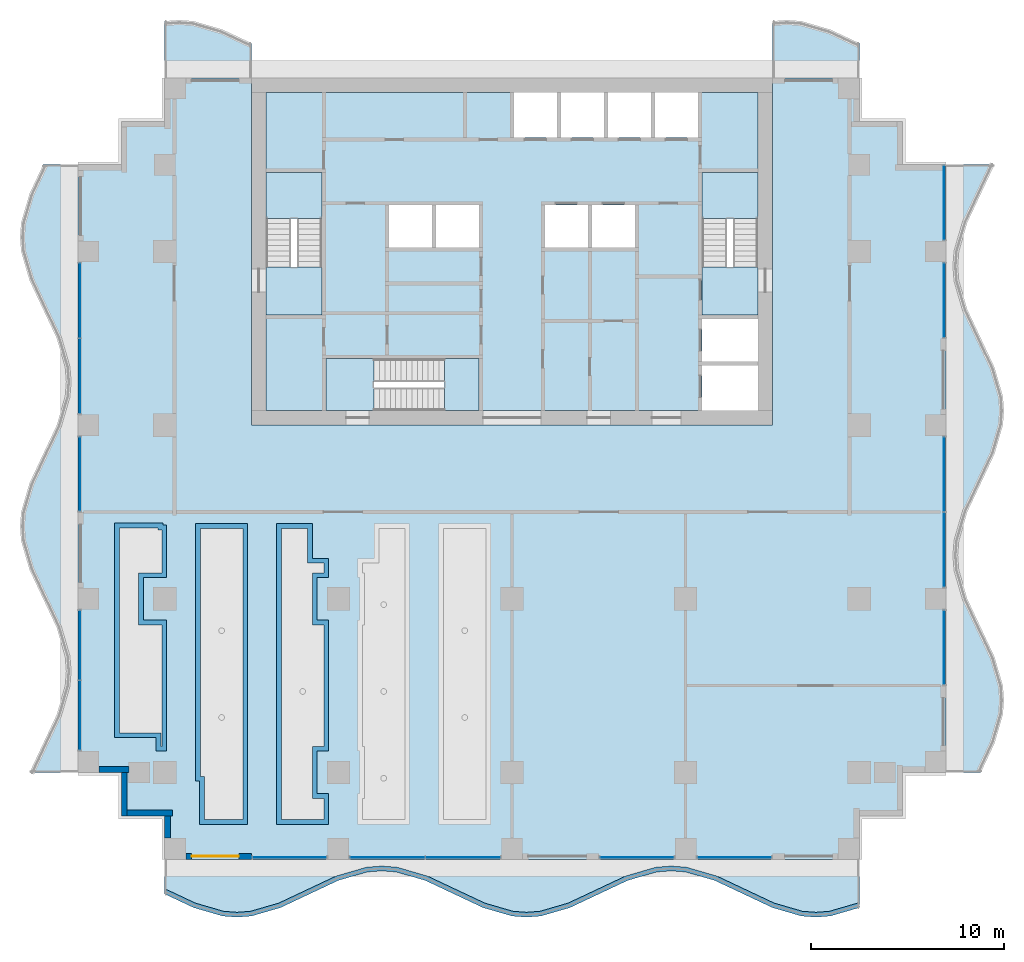
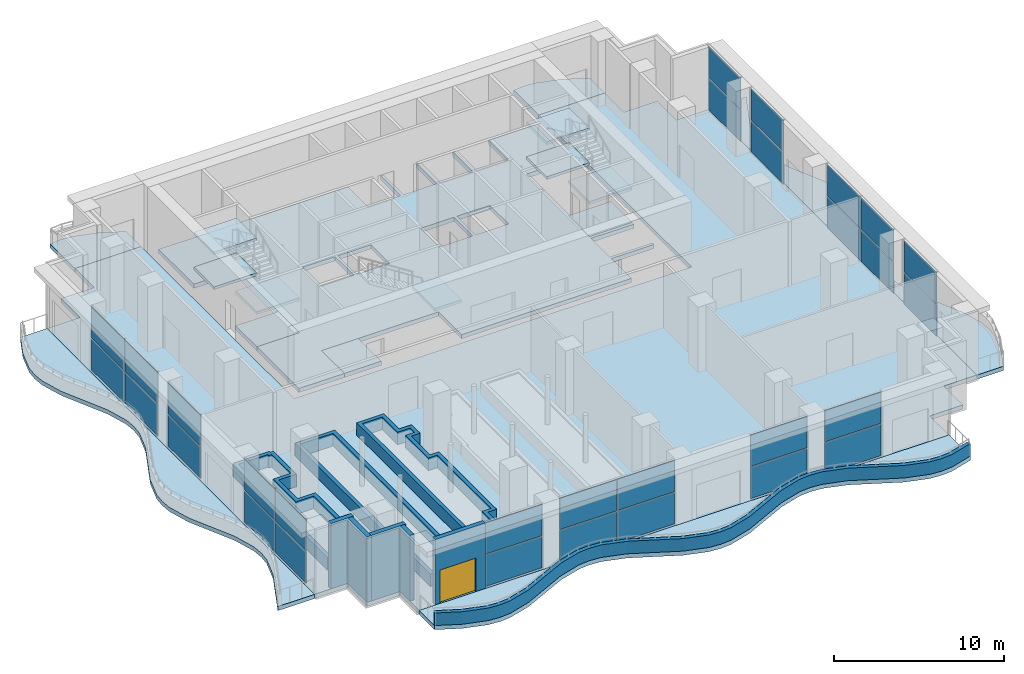
# One storey, part 7 of 16: 30 plates, 17 slabs, 9 walls, 1 door, 1 opening, 14 elements without a shape of their own.
"""IFC4 building model written with IfcOpenShell, lengths in metres."""

from ifc_helpers import new_model, si_unit, direction, frame, frame_2d, origin, origin_2d, place, context, subcontext, project, spatial, polyline, rectangle, outline, extrude, material, layer, layer_set, type_object, element, fill, aggregate, save


model = new_model("IFC4")

# Units and contexts
model_context = context("Model", 3, precision=1e-05, world=origin(), true_north=direction((0.0, 1.0)))
body_context = subcontext(model_context, "Body", "Model", "MODEL_VIEW")
ifc_project = project(units=[si_unit("LENGTHUNIT", "METRE"), si_unit("AREAUNIT", "SQUARE_METRE"), si_unit("VOLUMEUNIT", "CUBIC_METRE"), si_unit("PLANEANGLEUNIT", "RADIAN"), si_unit("MASSUNIT", "GRAM", prefix="KILO")], contexts=[model_context])

# Site, building, storey
site_placement = place(None, origin())
site = spatial("IfcSite", under=ifc_project, at=site_placement, CompositionType="ELEMENT")
building_placement = place(site_placement, origin())
building = spatial("IfcBuilding", under=site, at=building_placement, Name="Orbiselva Terraces", CompositionType="ELEMENT")
storey_placement = place(building_placement, frame((0.0, 0.0, 174.4)))
storey = spatial("IfcBuildingStorey", under=building, at=storey_placement, Name="L44", CompositionType="ELEMENT", Elevation=174.4)

# Slabs
ifc_material_1 = material(Name="Concrete C40/50", Category="concrete")
ifc_layer_1 = layer(ifc_material_1, 0.3)
ifc_layer_set_1 = layer_set([ifc_layer_1], Name="Concrete C40/50")
slab_type_1 = type_object("IfcSlabType", Name="CORE-SLAB-FLOOR-300", PredefinedType="FLOOR", material=ifc_layer_set_1)
slab_1_placement = place(storey_placement, frame((0.0, 0.0, -0.3)))
element("IfcSlab", 1, at=slab_1_placement, inside=storey, type_object=slab_type_1, Name="L44 S1 floor landing", PredefinedType="FLOOR", context=body_context, shape_type="SweptSolid", body=[
    extrude(outline(polyline([(-12.75, 12.7), (-9.85, 12.7), (-9.85, 10.2), (-12.75, 10.2), (-12.75, 12.7)])), origin(), (0.0, 0.0, 1.0), 0.3),
])
slab_2_placement = place(storey_placement, frame((0.0, 0.0, -0.3)))
element("IfcSlab", 2, at=slab_2_placement, inside=storey, type_object=slab_type_1, Name="L44 S2 floor landing", PredefinedType="FLOOR", context=body_context, shape_type="SweptSolid", body=[
    extrude(outline(polyline([(12.75, 12.7), (12.75, 10.2), (9.85, 10.2), (9.85, 12.7), (12.75, 12.7)])), origin(), (0.0, 0.0, 1.0), 0.3),
])
slab_3_placement = place(storey_placement, frame((0.0, 0.0, -0.3)))
element("IfcSlab", 3, at=slab_3_placement, inside=storey, type_object=slab_type_1, Name="L44 S3 floor landing", PredefinedType="FLOOR", context=body_context, shape_type="SweptSolid", body=[
    extrude(outline(polyline([(-7.15, 5.25), (-9.65, 5.25), (-9.65, 7.95), (-7.15, 7.95), (-7.15, 5.25)])), origin(), (0.0, 0.0, 1.0), 0.3),
])
slab_4_placement = place(storey_placement, frame((0.0, 0.0, -0.3)))
element("IfcSlab", 4, at=slab_4_placement, inside=storey, type_object=slab_type_1, Name="L44 core floor slab 1", PredefinedType="FLOOR", context=body_context, shape_type="SweptSolid", body=[
    extrude(outline(polyline([(-1.7, 5.25), (-1.7, 7.95), (-9.65, 7.95), (-9.65, 5.25), (-12.75, 5.25), (-12.75, 10.2), (-9.85, 10.2), (-9.85, 17.6), (-12.75, 17.6), (-12.75, 21.75), (0.1, 21.75), (0.1, 19.4), (2.3375, 19.4), (2.3375, 21.75), (2.5375, 21.75), (2.5375, 19.4), (4.775, 19.4), (4.775, 21.75), (4.975, 21.75), (4.975, 19.4), (7.2125, 19.4), (7.2125, 21.75), (7.4125, 21.75), (7.4125, 19.4), (9.65, 19.4), (9.65, 21.75), (12.75, 21.75), (12.75, 17.6), (9.85, 17.6), (9.85, 10.2), (12.75, 10.2), (12.75, 10.0), (9.85, 10.0), (9.85, 7.8), (12.75, 7.8), (12.75, 7.6), (9.85, 7.6), (9.85, 5.25), (-1.7, 5.25)]), holes=[polyline([(-4.1375, 13.7), (-4.1375, 15.9), (-6.375, 15.9), (-6.375, 13.7), (-4.1375, 13.7)]), polyline([(-1.7, 13.7), (-1.7, 15.9), (-3.9375, 15.9), (-3.9375, 13.7), (-1.7, 13.7)]), polyline([(3.9375, 15.9), (1.7, 15.9), (1.7, 13.7), (3.9375, 13.7), (3.9375, 15.9)]), polyline([(6.375, 13.7), (6.375, 15.9), (4.1375, 15.9), (4.1375, 13.7), (6.375, 13.7)])]), origin(), (0.0, 0.0, 1.0), 0.3),
])

# Stair, slabs
stair_type_1 = type_object("IfcStairType", Name="CORE-STAIR-1300", PredefinedType="HALF_TURN_STAIR", material=ifc_material_1)
stair_1_placement = place(storey_placement, origin())
stair_1 = element("IfcStair", 5, at=stair_1_placement, inside=storey, type_object=stair_type_1, Name="L44 Exit Stair S1", PredefinedType="HALF_TURN_STAIR")
ifc_layer_2 = layer(ifc_material_1, 0.2)
ifc_layer_set_2 = layer_set([ifc_layer_2], Name="Concrete C40/50")
slab_type_2 = type_object("IfcSlabType", Name="CORE-STAIR-LANDING-200", PredefinedType="LANDING", material=ifc_layer_set_2)
slab_5_placement = place(storey_placement, frame((0.0, 0.0, 1.05)))
slab_5 = element("IfcSlab", 6, at=slab_5_placement, type_object=slab_type_2, Name="S1 landing 1", PredefinedType="LANDING", context=body_context, shape_type="SweptSolid", body=[
    extrude(outline(polyline([(-9.85, 15.22), (-9.85, 17.6), (-12.75, 17.6), (-12.75, 15.22), (-9.85, 15.22)])), origin(), (0.0, 0.0, 1.0), 0.2),
])
slab_6_placement = place(storey_placement, frame((0.0, 0.0, 2.3)))
slab_6 = element("IfcSlab", 7, at=slab_6_placement, type_object=slab_type_2, Name="S1 landing 2", PredefinedType="LANDING", context=body_context, shape_type="SweptSolid", body=[
    extrude(outline(polyline([(-9.85, 10.2), (-9.85, 12.7), (-12.75, 12.7), (-12.75, 10.2), (-9.85, 10.2)])), origin(), (0.0, 0.0, 1.0), 0.2),
])
slab_7_placement = place(storey_placement, frame((0.0, 0.0, 3.55)))
slab_7 = element("IfcSlab", 8, at=slab_7_placement, type_object=slab_type_2, Name="S1 landing 3", PredefinedType="LANDING", context=body_context, shape_type="SweptSolid", body=[
    extrude(outline(polyline([(-9.85, 15.22), (-9.85, 17.6), (-12.75, 17.6), (-12.75, 15.22), (-9.85, 15.22)])), origin(), (0.0, 0.0, 1.0), 0.2),
])
aggregate(stair_1, [slab_5, slab_6, slab_7])

stair_2_placement = place(storey_placement, origin())
stair_2 = element("IfcStair", 9, at=stair_2_placement, inside=storey, type_object=stair_type_1, Name="L44 Exit Stair S2", PredefinedType="HALF_TURN_STAIR")
slab_8_placement = place(storey_placement, frame((0.0, 0.0, 1.05)))
slab_8 = element("IfcSlab", 10, at=slab_8_placement, type_object=slab_type_2, Name="S2 landing 1", PredefinedType="LANDING", context=body_context, shape_type="SweptSolid", body=[
    extrude(outline(polyline([(12.75, 15.22), (12.75, 17.6), (9.85, 17.6), (9.85, 15.22), (12.75, 15.22)])), origin(), (0.0, 0.0, 1.0), 0.2),
])
slab_9_placement = place(storey_placement, frame((0.0, 0.0, 2.3)))
slab_9 = element("IfcSlab", 11, at=slab_9_placement, type_object=slab_type_2, Name="S2 landing 2", PredefinedType="LANDING", context=body_context, shape_type="SweptSolid", body=[
    extrude(outline(polyline([(12.75, 10.2), (12.75, 12.7), (9.85, 12.7), (9.85, 10.2), (12.75, 10.2)])), origin(), (0.0, 0.0, 1.0), 0.2),
])
slab_10_placement = place(storey_placement, frame((0.0, 0.0, 3.55)))
slab_10 = element("IfcSlab", 12, at=slab_10_placement, type_object=slab_type_2, Name="S2 landing 3", PredefinedType="LANDING", context=body_context, shape_type="SweptSolid", body=[
    extrude(outline(polyline([(12.75, 15.22), (12.75, 17.6), (9.85, 17.6), (9.85, 15.22), (12.75, 15.22)])), origin(), (0.0, 0.0, 1.0), 0.2),
])
aggregate(stair_2, [slab_8, slab_9, slab_10])

# Stair, slab
stair_type_2 = type_object("IfcStairType", Name="CORE-STAIR-1200", PredefinedType="HALF_TURN_STAIR", material=ifc_material_1)
stair_3_placement = place(storey_placement, origin())
stair_3 = element("IfcStair", 13, at=stair_3_placement, inside=storey, type_object=stair_type_2, Name="L44 Exit Stair S3", PredefinedType="HALF_TURN_STAIR")
slab_11_placement = place(storey_placement, frame((0.0, 0.0, 2.3)))
slab_11 = element("IfcSlab", 14, at=slab_11_placement, type_object=slab_type_2, Name="S3 landing 1", PredefinedType="LANDING", context=body_context, shape_type="SweptSolid", body=[
    extrude(outline(polyline([(-3.51, 5.25), (-1.7, 5.25), (-1.7, 7.95), (-3.51, 7.95), (-3.51, 5.25)])), origin(), (0.0, 0.0, 1.0), 0.2),
])
aggregate(stair_3, [slab_11])

# Slabs
ifc_material_2 = material(Name="Concrete C50/60", Category="concrete")
ifc_layer_3 = layer(ifc_material_2, 0.3)
ifc_layer_set_3 = layer_set([ifc_layer_3], Name="Concrete C50/60")
slab_type_3 = type_object("IfcSlabType", Name="ENV-BALCONY-SLAB-300", PredefinedType="FLOOR", material=ifc_layer_set_3)
slab_12_placement = place(storey_placement, frame((0.0, 0.0, -0.3)))
element("IfcSlab", 15, at=slab_12_placement, inside=storey, type_object=slab_type_3, Name="Balcony slab L44 S", PredefinedType="FLOOR", context=body_context, shape_type="SweptSolid", body=[
    extrude(outline(polyline([(-18.0, -19.8), (-16.5, -20.505342), (-15.0, -20.941268), (-14.25, -21.0), (-13.5, -20.941268), (-12.0, -20.505342), (-9.0, -19.094658), (-7.5, -18.658732), (-6.75, -18.6), (-6.0, -18.658732), (-4.5, -19.094658), (-1.5, -20.505342), (0.0, -20.941268), (0.75, -21.0), (1.5, -20.941268), (3.0, -20.505342), (6.0, -19.094658), (7.5, -18.658732), (8.25, -18.6), (9.0, -18.658732), (10.5, -19.094658), (13.5, -20.505342), (15.0, -20.941268), (15.75, -21.0), (16.5, -20.941268), (18.0, -20.505342), (18.0, -18.0), (-18.0, -18.0), (-18.0, -19.8)])), origin(), (0.0, 0.0, 1.0), 0.3),
])
slab_13_placement = place(storey_placement, frame((0.0, 0.0, -0.3)))
element("IfcSlab", 16, at=slab_13_placement, inside=storey, type_object=slab_type_3, Name="Balcony slab L44 E", PredefinedType="FLOOR", context=body_context, shape_type="SweptSolid", body=[
    extrude(outline(polyline([(24.3, -13.5), (25.005342, -12.0), (25.441268, -10.5), (25.5, -9.75), (25.441268, -9.0), (25.005342, -7.5), (23.594658, -4.5), (23.158732, -3.0), (23.1, -2.25), (23.158732, -1.5), (23.594658, 0.0), (25.005342, 3.0), (25.441268, 4.5), (25.5, 5.25), (25.441268, 6.0), (25.005342, 7.5), (23.594658, 10.5), (23.158732, 12.0), (23.1, 12.75), (23.158732, 13.5), (23.594658, 15.0), (25.005342, 18.0), (22.5, 18.0), (22.5, -13.5), (24.3, -13.5)])), origin(), (0.0, 0.0, 1.0), 0.3),
])
slab_14_placement = place(storey_placement, frame((0.0, 0.0, -0.3)))
element("IfcSlab", 17, at=slab_14_placement, inside=storey, type_object=slab_type_3, Name="Balcony slab L44 NE", PredefinedType="FLOOR", context=body_context, shape_type="SweptSolid", body=[
    extrude(outline(polyline([(18.0, 24.3), (16.5, 25.005342), (15.0, 25.441268), (14.25, 25.5), (13.5, 25.441268), (13.5, 22.5), (18.0, 22.5), (18.0, 24.3)])), origin(), (0.0, 0.0, 1.0), 0.3),
])
slab_15_placement = place(storey_placement, frame((0.0, 0.0, -0.3)))
element("IfcSlab", 18, at=slab_15_placement, inside=storey, type_object=slab_type_3, Name="Balcony slab L44 NW", PredefinedType="FLOOR", context=body_context, shape_type="SweptSolid", body=[
    extrude(outline(polyline([(-13.5, 24.3), (-15.0, 25.005342), (-16.5, 25.441268), (-17.25, 25.5), (-18.0, 25.441268), (-18.0, 22.5), (-13.5, 22.5), (-13.5, 24.3)])), origin(), (0.0, 0.0, 1.0), 0.3),
])
slab_16_placement = place(storey_placement, frame((0.0, 0.0, -0.3)))
element("IfcSlab", 19, at=slab_16_placement, inside=storey, type_object=slab_type_3, Name="Balcony slab L44 W", PredefinedType="FLOOR", context=body_context, shape_type="SweptSolid", body=[
    extrude(outline(polyline([(-24.3, 18.0), (-25.005342, 16.5), (-25.441268, 15.0), (-25.5, 14.25), (-25.441268, 13.5), (-25.005342, 12.0), (-23.594658, 9.0), (-23.158732, 7.5), (-23.1, 6.75), (-23.158732, 6.0), (-23.594658, 4.5), (-25.005342, 1.5), (-25.441268, 0.0), (-25.5, -0.75), (-25.441268, -1.5), (-25.005342, -3.0), (-23.594658, -6.0), (-23.158732, -7.5), (-23.1, -8.25), (-23.158732, -9.0), (-23.594658, -10.5), (-25.005342, -13.5), (-22.5, -13.5), (-22.5, 18.0), (-24.3, 18.0)])), origin(), (0.0, 0.0, 1.0), 0.3),
])

# Curtain wall, plates
ifc_material_3 = material(Name="Clear low-e glazing in aluminium frame", Category="aluminium")
curtain_wall_type = type_object("IfcCurtainWallType", Name="ENV-CW-SKY", PredefinedType="NOTDEFINED", material=ifc_material_3)
curtain_wall_1_placement = place(storey_placement, origin())
curtain_wall_1 = element("IfcCurtainWall", 20, at=curtain_wall_1_placement, inside=storey, type_object=curtain_wall_type, Name="Curtain wall L44 S", PredefinedType="NOTDEFINED")
ifc_material_4 = material(Name="Clear low-e glass", Category="glass")
ifc_layer_4 = layer(ifc_material_4, 0.028)
ifc_layer_set_4 = layer_set([ifc_layer_4], Name="Clear low-e glass")
plate_type = type_object("IfcPlateType", Name="ENV-CW-SKY-PANEL-28", PredefinedType="CURTAIN_PANEL", material=ifc_layer_set_4)
plate_1_placement = place(storey_placement, frame((-11.525, -17.9, 0.065), z_axis=(0.0, 0.0, 1.0), x_axis=(1.0, 0.0, 0.0)))
plate_1 = element("IfcPlate", 21, at=plate_1_placement, type_object=plate_type, Name="CW3 panel 1.1", PredefinedType="CURTAIN_PANEL", context=body_context, shape_type="SweptSolid", body=[
    extrude(rectangle(XDim=3.82, YDim=0.028, at=origin_2d()), origin(), (0.0, 0.0, 1.0), 2.2525),
])
plate_2_placement = place(storey_placement, frame((-11.525, -17.9, 2.3825), z_axis=(0.0, 0.0, 1.0), x_axis=(1.0, 0.0, 0.0)))
plate_2 = element("IfcPlate", 22, at=plate_2_placement, type_object=plate_type, Name="CW3 panel 1.2", PredefinedType="CURTAIN_PANEL", context=body_context, shape_type="SweptSolid", body=[
    extrude(rectangle(XDim=3.82, YDim=0.028, at=origin_2d()), origin(), (0.0, 0.0, 1.0), 2.2525),
])
aggregate(curtain_wall_1, [plate_1, plate_2])

curtain_wall_2_placement = place(storey_placement, origin())
curtain_wall_2 = element("IfcCurtainWall", 23, at=curtain_wall_2_placement, inside=storey, type_object=curtain_wall_type, Name="Curtain wall L44 S", PredefinedType="NOTDEFINED")
plate_3_placement = place(storey_placement, frame((-6.45875, -17.9, 0.065), z_axis=(0.0, 0.0, 1.0), x_axis=(1.0, 0.0, 0.0)))
plate_3 = element("IfcPlate", 24, at=plate_3_placement, type_object=plate_type, Name="CW3 panel 1.1", PredefinedType="CURTAIN_PANEL", context=body_context, shape_type="SweptSolid", body=[
    extrude(rectangle(XDim=3.8525, YDim=0.028, at=origin_2d()), origin(), (0.0, 0.0, 1.0), 2.2525),
])
plate_4_placement = place(storey_placement, frame((-6.45875, -17.9, 2.3825), z_axis=(0.0, 0.0, 1.0), x_axis=(1.0, 0.0, 0.0)))
plate_4 = element("IfcPlate", 25, at=plate_4_placement, type_object=plate_type, Name="CW3 panel 1.2", PredefinedType="CURTAIN_PANEL", context=body_context, shape_type="SweptSolid", body=[
    extrude(rectangle(XDim=3.8525, YDim=0.028, at=origin_2d()), origin(), (0.0, 0.0, 1.0), 2.2525),
])
plate_5_placement = place(storey_placement, frame((-2.54125, -17.9, 0.065), z_axis=(0.0, 0.0, 1.0), x_axis=(1.0, 0.0, 0.0)))
plate_5 = element("IfcPlate", 26, at=plate_5_placement, type_object=plate_type, Name="CW3 panel 2.1", PredefinedType="CURTAIN_PANEL", context=body_context, shape_type="SweptSolid", body=[
    extrude(rectangle(XDim=3.8525, YDim=0.028, at=origin_2d()), origin(), (0.0, 0.0, 1.0), 2.2525),
])
plate_6_placement = place(storey_placement, frame((-2.54125, -17.9, 2.3825), z_axis=(0.0, 0.0, 1.0), x_axis=(1.0, 0.0, 0.0)))
plate_6 = element("IfcPlate", 27, at=plate_6_placement, type_object=plate_type, Name="CW3 panel 2.2", PredefinedType="CURTAIN_PANEL", context=body_context, shape_type="SweptSolid", body=[
    extrude(rectangle(XDim=3.8525, YDim=0.028, at=origin_2d()), origin(), (0.0, 0.0, 1.0), 2.2525),
])
aggregate(curtain_wall_2, [plate_3, plate_4, plate_5, plate_6])

curtain_wall_3_placement = place(storey_placement, origin())
curtain_wall_3 = element("IfcCurtainWall", 28, at=curtain_wall_3_placement, inside=storey, type_object=curtain_wall_type, Name="Curtain wall L44 S", PredefinedType="NOTDEFINED")
plate_7_placement = place(storey_placement, frame((6.475, -17.9, 0.065), z_axis=(0.0, 0.0, 1.0), x_axis=(1.0, 0.0, 0.0)))
plate_7 = element("IfcPlate", 29, at=plate_7_placement, type_object=plate_type, Name="CW3 panel 1.1", PredefinedType="CURTAIN_PANEL", context=body_context, shape_type="SweptSolid", body=[
    extrude(rectangle(XDim=3.82, YDim=0.028, at=origin_2d()), origin(), (0.0, 0.0, 1.0), 2.2525),
])
plate_8_placement = place(storey_placement, frame((6.475, -17.9, 2.3825), z_axis=(0.0, 0.0, 1.0), x_axis=(1.0, 0.0, 0.0)))
plate_8 = element("IfcPlate", 30, at=plate_8_placement, type_object=plate_type, Name="CW3 panel 1.2", PredefinedType="CURTAIN_PANEL", context=body_context, shape_type="SweptSolid", body=[
    extrude(rectangle(XDim=3.82, YDim=0.028, at=origin_2d()), origin(), (0.0, 0.0, 1.0), 2.2525),
])
aggregate(curtain_wall_3, [plate_7, plate_8])

curtain_wall_4_placement = place(storey_placement, origin())
curtain_wall_4 = element("IfcCurtainWall", 31, at=curtain_wall_4_placement, inside=storey, type_object=curtain_wall_type, Name="Curtain wall L44 S", PredefinedType="NOTDEFINED")
plate_9_placement = place(storey_placement, frame((11.525, -17.9, 0.065), z_axis=(0.0, 0.0, 1.0), x_axis=(1.0, 0.0, 0.0)))
plate_9 = element("IfcPlate", 32, at=plate_9_placement, type_object=plate_type, Name="CW3 panel 1.1", PredefinedType="CURTAIN_PANEL", context=body_context, shape_type="SweptSolid", body=[
    extrude(rectangle(XDim=3.82, YDim=0.028, at=origin_2d()), origin(), (0.0, 0.0, 1.0), 2.2525),
])
plate_10_placement = place(storey_placement, frame((11.525, -17.9, 2.3825), z_axis=(0.0, 0.0, 1.0), x_axis=(1.0, 0.0, 0.0)))
plate_10 = element("IfcPlate", 33, at=plate_10_placement, type_object=plate_type, Name="CW3 panel 1.2", PredefinedType="CURTAIN_PANEL", context=body_context, shape_type="SweptSolid", body=[
    extrude(rectangle(XDim=3.82, YDim=0.028, at=origin_2d()), origin(), (0.0, 0.0, 1.0), 2.2525),
])
aggregate(curtain_wall_4, [plate_9, plate_10])

curtain_wall_5_placement = place(storey_placement, origin())
curtain_wall_5 = element("IfcCurtainWall", 34, at=curtain_wall_5_placement, inside=storey, type_object=curtain_wall_type, Name="Curtain wall L44 E", PredefinedType="NOTDEFINED")
plate_11_placement = place(storey_placement, frame((22.4, -7.025, 0.065), z_axis=(0.0, 0.0, 1.0), x_axis=(0.0, 1.0, 0.0)))
plate_11 = element("IfcPlate", 35, at=plate_11_placement, type_object=plate_type, Name="CW3 panel 1.1", PredefinedType="CURTAIN_PANEL", context=body_context, shape_type="SweptSolid", body=[
    extrude(rectangle(XDim=3.82, YDim=0.028, at=origin_2d()), origin(), (0.0, 0.0, 1.0), 2.2525),
])
plate_12_placement = place(storey_placement, frame((22.4, -7.025, 2.3825), z_axis=(0.0, 0.0, 1.0), x_axis=(0.0, 1.0, 0.0)))
plate_12 = element("IfcPlate", 36, at=plate_12_placement, type_object=plate_type, Name="CW3 panel 1.2", PredefinedType="CURTAIN_PANEL", context=body_context, shape_type="SweptSolid", body=[
    extrude(rectangle(XDim=3.82, YDim=0.028, at=origin_2d()), origin(), (0.0, 0.0, 1.0), 2.2525),
])
aggregate(curtain_wall_5, [plate_11, plate_12])

curtain_wall_6_placement = place(storey_placement, origin())
curtain_wall_6 = element("IfcCurtainWall", 37, at=curtain_wall_6_placement, inside=storey, type_object=curtain_wall_type, Name="Curtain wall L44 E", PredefinedType="NOTDEFINED")
plate_13_placement = place(storey_placement, frame((22.4, -1.95875, 0.065), z_axis=(0.0, 0.0, 1.0), x_axis=(0.0, 1.0, 0.0)))
plate_13 = element("IfcPlate", 38, at=plate_13_placement, type_object=plate_type, Name="CW3 panel 1.1", PredefinedType="CURTAIN_PANEL", context=body_context, shape_type="SweptSolid", body=[
    extrude(rectangle(XDim=3.8525, YDim=0.028, at=origin_2d()), origin(), (0.0, 0.0, 1.0), 2.2525),
])
plate_14_placement = place(storey_placement, frame((22.4, -1.95875, 2.3825), z_axis=(0.0, 0.0, 1.0), x_axis=(0.0, 1.0, 0.0)))
plate_14 = element("IfcPlate", 39, at=plate_14_placement, type_object=plate_type, Name="CW3 panel 1.2", PredefinedType="CURTAIN_PANEL", context=body_context, shape_type="SweptSolid", body=[
    extrude(rectangle(XDim=3.8525, YDim=0.028, at=origin_2d()), origin(), (0.0, 0.0, 1.0), 2.2525),
])
plate_15_placement = place(storey_placement, frame((22.4, 1.95875, 0.065), z_axis=(0.0, 0.0, 1.0), x_axis=(0.0, 1.0, 0.0)))
plate_15 = element("IfcPlate", 40, at=plate_15_placement, type_object=plate_type, Name="CW3 panel 2.1", PredefinedType="CURTAIN_PANEL", context=body_context, shape_type="SweptSolid", body=[
    extrude(rectangle(XDim=3.8525, YDim=0.028, at=origin_2d()), origin(), (0.0, 0.0, 1.0), 2.2525),
])
plate_16_placement = place(storey_placement, frame((22.4, 1.95875, 2.3825), z_axis=(0.0, 0.0, 1.0), x_axis=(0.0, 1.0, 0.0)))
plate_16 = element("IfcPlate", 41, at=plate_16_placement, type_object=plate_type, Name="CW3 panel 2.2", PredefinedType="CURTAIN_PANEL", context=body_context, shape_type="SweptSolid", body=[
    extrude(rectangle(XDim=3.8525, YDim=0.028, at=origin_2d()), origin(), (0.0, 0.0, 1.0), 2.2525),
])
aggregate(curtain_wall_6, [plate_13, plate_14, plate_15, plate_16])

curtain_wall_7_placement = place(storey_placement, origin())
curtain_wall_7 = element("IfcCurtainWall", 42, at=curtain_wall_7_placement, inside=storey, type_object=curtain_wall_type, Name="Curtain wall L44 E", PredefinedType="NOTDEFINED")
plate_17_placement = place(storey_placement, frame((22.4, 10.975, 0.065), z_axis=(0.0, 0.0, 1.0), x_axis=(0.0, 1.0, 0.0)))
plate_17 = element("IfcPlate", 43, at=plate_17_placement, type_object=plate_type, Name="CW3 panel 1.1", PredefinedType="CURTAIN_PANEL", context=body_context, shape_type="SweptSolid", body=[
    extrude(rectangle(XDim=3.82, YDim=0.028, at=origin_2d()), origin(), (0.0, 0.0, 1.0), 2.2525),
])
plate_18_placement = place(storey_placement, frame((22.4, 10.975, 2.3825), z_axis=(0.0, 0.0, 1.0), x_axis=(0.0, 1.0, 0.0)))
plate_18 = element("IfcPlate", 44, at=plate_18_placement, type_object=plate_type, Name="CW3 panel 1.2", PredefinedType="CURTAIN_PANEL", context=body_context, shape_type="SweptSolid", body=[
    extrude(rectangle(XDim=3.82, YDim=0.028, at=origin_2d()), origin(), (0.0, 0.0, 1.0), 2.2525),
])
aggregate(curtain_wall_7, [plate_17, plate_18])

curtain_wall_8_placement = place(storey_placement, origin())
curtain_wall_8 = element("IfcCurtainWall", 45, at=curtain_wall_8_placement, inside=storey, type_object=curtain_wall_type, Name="Curtain wall L44 E", PredefinedType="NOTDEFINED")
plate_19_placement = place(storey_placement, frame((22.4, 16.025, 0.065), z_axis=(0.0, 0.0, 1.0), x_axis=(0.0, 1.0, 0.0)))
plate_19 = element("IfcPlate", 46, at=plate_19_placement, type_object=plate_type, Name="CW3 panel 1.1", PredefinedType="CURTAIN_PANEL", context=body_context, shape_type="SweptSolid", body=[
    extrude(rectangle(XDim=3.82, YDim=0.028, at=origin_2d()), origin(), (0.0, 0.0, 1.0), 2.2525),
])
plate_20_placement = place(storey_placement, frame((22.4, 16.025, 2.3825), z_axis=(0.0, 0.0, 1.0), x_axis=(0.0, 1.0, 0.0)))
plate_20 = element("IfcPlate", 47, at=plate_20_placement, type_object=plate_type, Name="CW3 panel 1.2", PredefinedType="CURTAIN_PANEL", context=body_context, shape_type="SweptSolid", body=[
    extrude(rectangle(XDim=3.82, YDim=0.028, at=origin_2d()), origin(), (0.0, 0.0, 1.0), 2.2525),
])
aggregate(curtain_wall_8, [plate_19, plate_20])

curtain_wall_9_placement = place(storey_placement, origin())
curtain_wall_9 = element("IfcCurtainWall", 48, at=curtain_wall_9_placement, inside=storey, type_object=curtain_wall_type, Name="Curtain wall L44 W", PredefinedType="NOTDEFINED")
plate_21_placement = place(storey_placement, frame((-22.4, 10.95875, 0.065), z_axis=(0.0, 0.0, 1.0), x_axis=(0.0, -1.0, 0.0)))
plate_21 = element("IfcPlate", 49, at=plate_21_placement, type_object=plate_type, Name="CW3 panel 1.1", PredefinedType="CURTAIN_PANEL", context=body_context, shape_type="SweptSolid", body=[
    extrude(rectangle(XDim=3.8525, YDim=0.028, at=origin_2d()), origin(), (0.0, 0.0, 1.0), 2.2525),
])
plate_22_placement = place(storey_placement, frame((-22.4, 10.95875, 2.3825), z_axis=(0.0, 0.0, 1.0), x_axis=(0.0, -1.0, 0.0)))
plate_22 = element("IfcPlate", 50, at=plate_22_placement, type_object=plate_type, Name="CW3 panel 1.2", PredefinedType="CURTAIN_PANEL", context=body_context, shape_type="SweptSolid", body=[
    extrude(rectangle(XDim=3.8525, YDim=0.028, at=origin_2d()), origin(), (0.0, 0.0, 1.0), 2.2525),
])
plate_23_placement = place(storey_placement, frame((-22.4, 7.04125, 0.065), z_axis=(0.0, 0.0, 1.0), x_axis=(0.0, -1.0, 0.0)))
plate_23 = element("IfcPlate", 51, at=plate_23_placement, type_object=plate_type, Name="CW3 panel 2.1", PredefinedType="CURTAIN_PANEL", context=body_context, shape_type="SweptSolid", body=[
    extrude(rectangle(XDim=3.8525, YDim=0.028, at=origin_2d()), origin(), (0.0, 0.0, 1.0), 2.2525),
])
plate_24_placement = place(storey_placement, frame((-22.4, 7.04125, 2.3825), z_axis=(0.0, 0.0, 1.0), x_axis=(0.0, -1.0, 0.0)))
plate_24 = element("IfcPlate", 52, at=plate_24_placement, type_object=plate_type, Name="CW3 panel 2.2", PredefinedType="CURTAIN_PANEL", context=body_context, shape_type="SweptSolid", body=[
    extrude(rectangle(XDim=3.8525, YDim=0.028, at=origin_2d()), origin(), (0.0, 0.0, 1.0), 2.2525),
])
aggregate(curtain_wall_9, [plate_21, plate_22, plate_23, plate_24])

curtain_wall_10_placement = place(storey_placement, origin())
curtain_wall_10 = element("IfcCurtainWall", 53, at=curtain_wall_10_placement, inside=storey, type_object=curtain_wall_type, Name="Curtain wall L44 W", PredefinedType="NOTDEFINED")
plate_25_placement = place(storey_placement, frame((-22.4, 1.975, 0.065), z_axis=(0.0, 0.0, 1.0), x_axis=(0.0, -1.0, 0.0)))
plate_25 = element("IfcPlate", 54, at=plate_25_placement, type_object=plate_type, Name="CW3 panel 1.1", PredefinedType="CURTAIN_PANEL", context=body_context, shape_type="SweptSolid", body=[
    extrude(rectangle(XDim=3.82, YDim=0.028, at=origin_2d()), origin(), (0.0, 0.0, 1.0), 2.2525),
])
plate_26_placement = place(storey_placement, frame((-22.4, 1.975, 2.3825), z_axis=(0.0, 0.0, 1.0), x_axis=(0.0, -1.0, 0.0)))
plate_26 = element("IfcPlate", 55, at=plate_26_placement, type_object=plate_type, Name="CW3 panel 1.2", PredefinedType="CURTAIN_PANEL", context=body_context, shape_type="SweptSolid", body=[
    extrude(rectangle(XDim=3.82, YDim=0.028, at=origin_2d()), origin(), (0.0, 0.0, 1.0), 2.2525),
])
aggregate(curtain_wall_10, [plate_25, plate_26])

curtain_wall_11_placement = place(storey_placement, origin())
curtain_wall_11 = element("IfcCurtainWall", 56, at=curtain_wall_11_placement, inside=storey, type_object=curtain_wall_type, Name="Curtain wall L44 W", PredefinedType="NOTDEFINED")
plate_27_placement = place(storey_placement, frame((-22.4, -6.90375, 0.065), z_axis=(0.0, 0.0, 1.0), x_axis=(0.0, -1.0, 0.0)))
plate_27 = element("IfcPlate", 57, at=plate_27_placement, type_object=plate_type, Name="CW3 panel 1.1", PredefinedType="CURTAIN_PANEL", context=body_context, shape_type="SweptSolid", body=[
    extrude(rectangle(XDim=3.5775, YDim=0.028, at=origin_2d()), origin(), (0.0, 0.0, 1.0), 2.2525),
])
plate_28_placement = place(storey_placement, frame((-22.4, -6.90375, 2.3825), z_axis=(0.0, 0.0, 1.0), x_axis=(0.0, -1.0, 0.0)))
plate_28 = element("IfcPlate", 58, at=plate_28_placement, type_object=plate_type, Name="CW3 panel 1.2", PredefinedType="CURTAIN_PANEL", context=body_context, shape_type="SweptSolid", body=[
    extrude(rectangle(XDim=3.5775, YDim=0.028, at=origin_2d()), origin(), (0.0, 0.0, 1.0), 2.2525),
])
plate_29_placement = place(storey_placement, frame((-22.4, -10.54625, 0.065), z_axis=(0.0, 0.0, 1.0), x_axis=(0.0, -1.0, 0.0)))
plate_29 = element("IfcPlate", 59, at=plate_29_placement, type_object=plate_type, Name="CW3 panel 2.1", PredefinedType="CURTAIN_PANEL", context=body_context, shape_type="SweptSolid", body=[
    extrude(rectangle(XDim=3.5775, YDim=0.028, at=origin_2d()), origin(), (0.0, 0.0, 1.0), 2.2525),
])
plate_30_placement = place(storey_placement, frame((-22.4, -10.54625, 2.3825), z_axis=(0.0, 0.0, 1.0), x_axis=(0.0, -1.0, 0.0)))
plate_30 = element("IfcPlate", 60, at=plate_30_placement, type_object=plate_type, Name="CW3 panel 2.2", PredefinedType="CURTAIN_PANEL", context=body_context, shape_type="SweptSolid", body=[
    extrude(rectangle(XDim=3.5775, YDim=0.028, at=origin_2d()), origin(), (0.0, 0.0, 1.0), 2.2525),
])
aggregate(curtain_wall_11, [plate_27, plate_28, plate_29, plate_30])

# Slab
ifc_layer_5 = layer(ifc_material_2, 0.3)
ifc_layer_set_5 = layer_set([ifc_layer_5], Name="Concrete C50/60")
slab_type_4 = type_object("IfcSlabType", Name="FLOOR SLAB 300", PredefinedType="FLOOR", material=ifc_layer_set_5)
slab_17_placement = place(storey_placement, frame((0.0, 0.0, -0.3)))
element("IfcSlab", 61, at=slab_17_placement, inside=storey, type_object=slab_type_4, Name="Floor slab L44", PredefinedType="FLOOR", context=body_context, shape_type="SweptSolid", body=[
    extrude(outline(polyline([(18.0, 22.5), (18.0, 20.25), (20.25, 20.25), (20.25, 18.0), (22.5, 18.0), (22.5, -13.5), (20.25, -13.5), (20.25, -15.75), (18.0, -15.75), (18.0, -18.0), (-18.0, -18.0), (-18.0, -15.75), (-20.25, -15.75), (-20.25, -13.5), (-22.5, -13.5), (-22.5, 18.0), (-20.25, 18.0), (-20.25, 20.25), (-18.0, 20.25), (-18.0, 22.5), (-13.5, 22.5), (-13.5, 4.5), (13.5, 4.5), (13.5, 22.5), (18.0, 22.5)])), origin(), (0.0, 0.0, 1.0), 0.3),
])

# Walls
ifc_layer_6 = layer(ifc_material_1, 0.25)
ifc_layer_set_6 = layer_set([ifc_layer_6], Name="Concrete C40/50")
wall_type_1 = type_object("IfcWallType", Name="ENV-GARDEN-BED-250x900", PredefinedType="USERDEFINED", material=ifc_layer_set_6)
wall_1_placement = place(storey_placement, origin())
element("IfcWall", 62, at=wall_1_placement, inside=storey, type_object=wall_type_1, Name="Planter L44 Planting bed 2", ObjectType="PLANTER", PredefinedType="USERDEFINED", context=body_context, shape_type="SweptSolid", body=[
    extrude(outline(polyline([(-9.5, -16.2), (-9.5, -14.6), (-10.1, -14.6), (-10.1, -12.4), (-9.5, -12.4), (-9.5, -5.6), (-10.1, -5.6), (-10.1, -3.4), (-9.5, -3.4), (-9.5, -2.4), (-10.35, -2.4), (-10.35, -0.6), (-12.2, -0.6), (-12.2, -16.2), (-9.5, -16.2)]), holes=[polyline([(-11.95, -15.95), (-11.95, -0.85), (-10.6, -0.85), (-10.6, -2.65), (-9.75, -2.65), (-9.75, -3.15), (-10.35, -3.15), (-10.35, -5.85), (-9.75, -5.85), (-9.75, -12.15), (-10.35, -12.15), (-10.35, -14.85), (-9.75, -14.85), (-9.75, -15.95), (-11.95, -15.95)])]), origin(), (0.0, 0.0, 1.0), 0.9),
])
wall_2_placement = place(storey_placement, origin())
element("IfcWall", 63, at=wall_2_placement, inside=storey, type_object=wall_type_1, Name="Planter L44 Planting bed 4", ObjectType="PLANTER", PredefinedType="USERDEFINED", context=body_context, shape_type="SweptSolid", body=[
    extrude(outline(polyline([(-13.7, -16.2), (-13.7, -0.6), (-16.4, -0.6), (-16.4, -13.95), (-16.2, -13.95), (-16.2, -16.2), (-13.7, -16.2)]), holes=[polyline([(-15.95, -15.95), (-15.95, -13.7), (-16.15, -13.7), (-16.15, -0.85), (-13.95, -0.85), (-13.95, -15.95), (-15.95, -15.95)])]), origin(), (0.0, 0.0, 1.0), 0.9),
])
wall_3_placement = place(storey_placement, origin())
element("IfcWall", 64, at=wall_3_placement, inside=storey, type_object=wall_type_1, Name="Planter L44 Planting bed 5", ObjectType="PLANTER", PredefinedType="USERDEFINED", context=body_context, shape_type="SweptSolid", body=[
    extrude(outline(polyline([(-17.9, -12.4), (-17.9, -5.6), (-19.1, -5.6), (-19.1, -3.4), (-17.9, -3.4), (-17.9, -0.675), (-18.1, -0.675), (-18.1, -0.575), (-20.6, -0.575), (-20.6, -11.7), (-18.45, -11.7), (-18.45, -12.4), (-17.9, -12.4)]), holes=[polyline([(-18.2, -12.15), (-18.2, -11.45), (-20.35, -11.45), (-20.35, -0.825), (-18.35, -0.825), (-18.35, -0.925), (-18.15, -0.925), (-18.15, -3.15), (-19.35, -3.15), (-19.35, -5.85), (-18.15, -5.85), (-18.15, -12.15), (-18.2, -12.15)])]), origin(), (0.0, 0.0, 1.0), 0.9),
])
ifc_layer_7 = layer(ifc_material_1, 0.25)
ifc_layer_set_7 = layer_set([ifc_layer_7], Name="Concrete C40/50")
wall_type_2 = type_object("IfcWallType", Name="ENV-PLANTER-250x900", PredefinedType="USERDEFINED", material=ifc_layer_set_7)
wall_4_placement = place(storey_placement, origin())
element("IfcWall", 65, at=wall_4_placement, inside=storey, type_object=wall_type_2, Name="Balcony planter L44 S", ObjectType="PLANTER", PredefinedType="USERDEFINED", context=body_context, shape_type="SweptSolid", body=[
    extrude(outline(polyline([(-18.0, -19.8), (-16.5, -20.505342), (-15.0, -20.941268), (-14.25, -21.0), (-13.5, -20.941268), (-12.0, -20.505342), (-10.5, -19.8), (-9.0, -19.094658), (-7.5, -18.658732), (-6.75, -18.6), (-6.0, -18.658732), (-4.5, -19.094658), (-3.0, -19.8), (-1.5, -20.505342), (0.0, -20.941268), (0.75, -21.0), (1.5, -20.941268), (3.0, -20.505342), (4.5, -19.8), (6.0, -19.094658), (7.5, -18.658732), (8.25, -18.6), (9.0, -18.658732), (10.5, -19.094658), (12.0, -19.8), (13.5, -20.505342), (15.0, -20.941268), (15.75, -21.0), (16.5, -20.941268), (18.0, -20.505342), (17.930232, -20.265274), (16.454886, -20.694035), (15.75, -20.749235), (15.045114, -20.694035), (13.588618, -20.270753), (12.106383, -19.573764), (10.588618, -18.860069), (9.045114, -18.411499), (8.25, -18.349235), (7.454886, -18.411499), (5.911382, -18.860069), (4.393617, -19.573764), (2.911382, -20.270753), (1.454886, -20.694035), (0.75, -20.749235), (0.045114, -20.694035), (-1.411382, -20.270753), (-2.893617, -19.573764), (-4.411382, -18.860069), (-5.954886, -18.411499), (-6.75, -18.349235), (-7.545114, -18.411499), (-9.088618, -18.860069), (-10.606383, -19.573764), (-12.088618, -20.270753), (-13.545114, -20.694035), (-14.25, -20.749235), (-14.954886, -20.694035), (-16.411382, -20.270753), (-17.893617, -19.573764), (-18.0, -19.8)])), origin(), (0.0, 0.0, 1.0), 0.9),
])

# Wall, opening, door
ifc_material_5 = material(Name="Terracotta cladding on masonry backing", Category="masonry")
ifc_layer_8 = layer(ifc_material_5, 0.3)
ifc_layer_set_8 = layer_set([ifc_layer_8], Name="Terracotta cladding on masonry backing")
wall_type_3 = type_object("IfcWallType", Name="ENV-WALL-TERRACOTTA-300", PredefinedType="SOLIDWALL", material=ifc_layer_set_8)
wall_5_placement = place(storey_placement, frame((-13.5, -17.85, 0.0), z_axis=(0.0, 0.0, 1.0), x_axis=(-1.0, 0.0, 0.0)))
wall_5 = element("IfcWall", 66, at=wall_5_placement, inside=storey, type_object=wall_type_3, Name="Facade wall L44 S", PredefinedType="SOLIDWALL", context=body_context, shape_type="SweptSolid", body=[
    extrude(rectangle(XDim=3.4, YDim=0.3, at=frame_2d((1.7, 0.0))), origin(), (0.0, 0.0, 1.0), 4.7),
])
opening_placement = place(wall_5_placement, frame((0.65, 0.0, 0.0)))
opening = element("IfcOpeningElement", 67, at=opening_placement, cuts=wall_5, Name="Opening SKY-3-E01", PredefinedType="OPENING", context=body_context, shape_type="SweptSolid", body=[
    extrude(rectangle(XDim=2.45, YDim=2.4, at=frame_2d((1.225, 1.2))), frame((0.0, 0.16, 0.0), z_axis=(0.0, -1.0, 0.0), x_axis=(1.0, 0.0, 0.0)), (0.0, 0.0, 1.0), 0.32),
])
door_type = type_object("IfcDoorType", Name="BALCONY DOOR 2450 X 2400", OperationType="DOUBLE_DOOR_SLIDING", PredefinedType="DOOR", material=ifc_material_3)
door_placement = place(opening_placement, origin())
door = element("IfcDoor", 68, at=door_placement, inside=storey, type_object=door_type, Name="SKY-3-E01", OperationType="SINGLE_SWING_LEFT", OverallHeight=2.4, OverallWidth=2.45, PredefinedType="DOOR", context=body_context, shape_type="SweptSolid", body=[
    extrude(rectangle(XDim=2.45, YDim=2.4, at=frame_2d((1.225, 1.2))), frame((0.0, 0.025, 0.0), z_axis=(0.0, -1.0, 0.0), x_axis=(1.0, 0.0, 0.0)), (0.0, 0.0, 1.0), 0.05),
])
fill(opening, door)

# Walls
wall_6_placement = place(storey_placement, frame((-19.85, -13.35, 0.0), z_axis=(0.0, 0.0, 1.0), x_axis=(-1.0, 0.0, 0.0)))
element("IfcWall", 69, at=wall_6_placement, inside=storey, type_object=wall_type_3, Name="Facade wall L44 STEP", PredefinedType="SOLIDWALL", context=body_context, shape_type="SweptSolid", body=[
    extrude(rectangle(XDim=1.55, YDim=0.3, at=frame_2d((0.775, 0.0))), origin(), (0.0, 0.0, 1.0), 4.7),
])
wall_7_placement = place(storey_placement, frame((-20.1, -15.75, 0.0), z_axis=(0.0, 0.0, 1.0), x_axis=(0.0, 1.0, 0.0)))
element("IfcWall", 70, at=wall_7_placement, inside=storey, type_object=wall_type_3, Name="Facade wall L44 STEP", PredefinedType="SOLIDWALL", context=body_context, shape_type="SweptSolid", body=[
    extrude(rectangle(XDim=2.25, YDim=0.3, at=frame_2d((1.125, 0.0))), origin(), (0.0, 0.0, 1.0), 4.7),
])
wall_8_placement = place(storey_placement, frame((-17.6, -15.6, 0.0), z_axis=(0.0, 0.0, 1.0), x_axis=(-1.0, 0.0, 0.0)))
element("IfcWall", 71, at=wall_8_placement, inside=storey, type_object=wall_type_3, Name="Facade wall L44 STEP", PredefinedType="SOLIDWALL", context=body_context, shape_type="SweptSolid", body=[
    extrude(rectangle(XDim=2.35, YDim=0.3, at=frame_2d((1.175, 0.0))), origin(), (0.0, 0.0, 1.0), 4.7),
])
wall_9_placement = place(storey_placement, frame((-17.85, -16.9, 0.0), z_axis=(0.0, 0.0, 1.0), x_axis=(0.0, 1.0, 0.0)))
element("IfcWall", 72, at=wall_9_placement, inside=storey, type_object=wall_type_3, Name="Facade wall L44 STEP", PredefinedType="SOLIDWALL", context=body_context, shape_type="SweptSolid", body=[
    extrude(rectangle(XDim=1.15, YDim=0.3, at=frame_2d((0.575, 0.0))), origin(), (0.0, 0.0, 1.0), 4.7),
])

save(model, "model.ifc")
